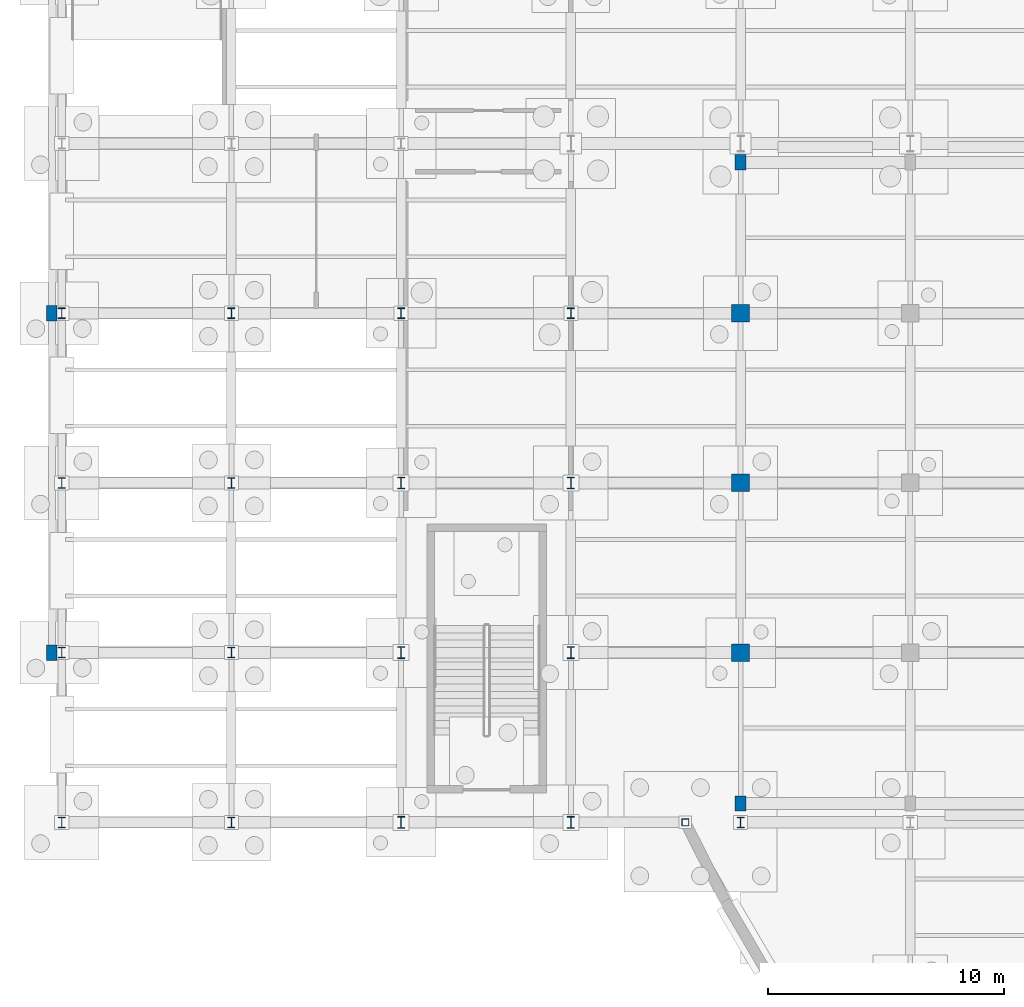
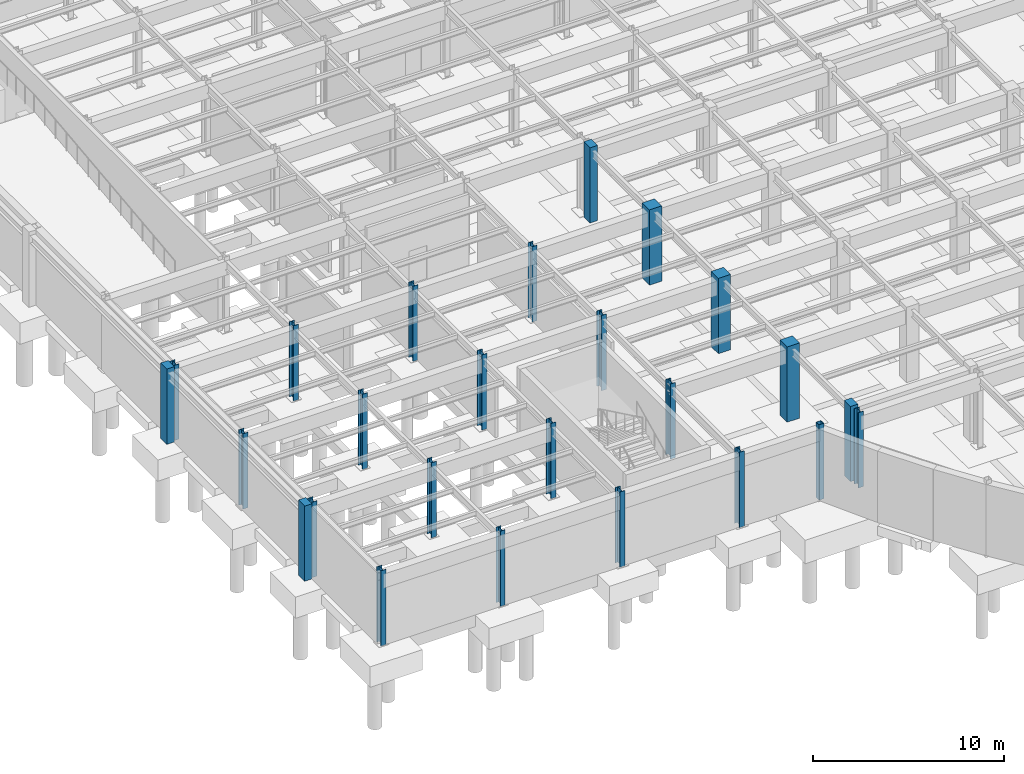
# One storey, part 17 of 64: 25 columns.
"""IFC4 building model written with IfcOpenShell, lengths in metres."""

from ifc_helpers import new_model, si_unit, direction, frame, origin, origin_2d, place, context, subcontext, project, spatial, rectangle, hollow_rectangle, i_section, extrude, material, material_profile, profile_set, type_object, element, save


model = new_model("IFC4")

# Units and contexts
model_context = context("Model", 3, precision=1e-05, world=origin(), true_north=direction((0.0, 1.0)))
body_context = subcontext(model_context, "Body", "Model", "MODEL_VIEW")
ifc_project = project(units=[si_unit("LENGTHUNIT", "METRE"), si_unit("AREAUNIT", "SQUARE_METRE"), si_unit("VOLUMEUNIT", "CUBIC_METRE"), si_unit("PLANEANGLEUNIT", "RADIAN"), si_unit("MASSUNIT", "GRAM", prefix="KILO")], contexts=[model_context])

# Site, building, storey
site_placement = place(None, origin())
site = spatial("IfcSite", under=ifc_project, at=site_placement, CompositionType="ELEMENT")
building_placement = place(site_placement, origin())
building = spatial("IfcBuilding", under=site, at=building_placement, Name="Solvadek Multi-Sports Hall", CompositionType="ELEMENT")
storey_placement = place(building_placement, frame((0.0, 0.0, -4.800048828125)))
storey = spatial("IfcBuildingStorey", under=building, at=storey_placement, Name="B1", CompositionType="ELEMENT", Elevation=-4.800048828125)

# Columns
ifc_material_1 = material(Name="Concrete M40", Category="concrete")
ifc_material_profile_1 = material_profile(ifc_material_1, rectangle(XDim=0.75, YDim=0.75, at=origin_2d()), Name="RC 750x750")
ifc_profile_set_1 = profile_set([ifc_material_profile_1], Name="Concrete M40")
column_type_1 = type_object("IfcColumnType", Name="STR-COL-RC750", PredefinedType="COLUMN", material=ifc_profile_set_1)
for number, where, z_axis, x_axis, name in (
    (1, (28.800048828125, 27.60009765625, 0.0), (0.0, 0.0, 1.0), (1.0, 0.0, 0.0), "B1 Column C-13 #54"),
    (2, (28.800048828125, 34.800048828125, 0.0), (0.0, 0.0, 1.0), (1.0, 0.0, 0.0), "B1 Column C-13 #55"),
    (3, (28.800048828125, 42.0, 0.0), (0.0, 0.0, 1.0), (1.0, 0.0, 0.0), "B1 Column C-13 #56"),
):
    element("IfcColumn", number, at=place(storey_placement, frame(where, z_axis=z_axis, x_axis=x_axis)), inside=storey, type_object=column_type_1, Name=name, PredefinedType="COLUMN", context=body_context, shape_type="SweptSolid", body=[
        extrude(rectangle(XDim=0.75, YDim=0.75, at=origin_2d()), origin(), (0.0, 0.0, 1.0), 4.800048828125),
    ])
ifc_material_2 = material(Name="Steel E350 (350 MPa)", Category="steel")
ifc_material_profile_2 = material_profile(ifc_material_2, hollow_rectangle(XDim=0.300048828125, YDim=0.300048828125, WallThickness=0.012451171875, at=origin_2d()), Name="SHS 300x300x12.5")
ifc_profile_set_2 = profile_set([ifc_material_profile_2], Name="Steel E350 (350 MPa)")
column_type_2 = type_object("IfcColumnType", Name="STR-COL-SHS300", PredefinedType="COLUMN", material=ifc_profile_set_2)
column_placement = place(storey_placement, frame((26.45458984375, 20.39990234375, 0.0), z_axis=(0.0, 0.0, 1.0), x_axis=(1.0, 0.0, 0.0)))
element("IfcColumn", 4, at=column_placement, inside=storey, type_object=column_type_2, Name="B1 Column C-10 #266", PredefinedType="COLUMN", context=body_context, shape_type="SweptSolid", body=[
    extrude(hollow_rectangle(XDim=0.300048828125, YDim=0.300048828125, WallThickness=0.012451171875, at=origin_2d()), origin(), (0.0, 0.0, 1.0), 4.800048828125),
])
ifc_material_profile_3 = material_profile(ifc_material_2, i_section(OverallWidth=0.300048828125, OverallDepth=0.449951171875, WebThickness=0.013916015625, FlangeThickness=0.02587890625, at=origin_2d()), Name="WPB 450")
ifc_profile_set_3 = profile_set([ifc_material_profile_3], Name="Steel E350 (350 MPa)")
column_type_3 = type_object("IfcColumnType", Name="STR-COL-WPB450", PredefinedType="COLUMN", material=ifc_profile_set_3)
for number, where, z_axis, x_axis, name in (
    (5, (0.0, 20.39990234375, 0.0), (0.0, 0.0, 1.0), (1.0, 0.0, 0.0), "B1 Column C-06 #1"),
    (6, (0.0, 27.60009765625, 0.0), (0.0, 0.0, 1.0), (1.0, 0.0, 0.0), "B1 Column C-06 #2"),
    (7, (0.0, 34.800048828125, 0.0), (0.0, 0.0, 1.0), (1.0, 0.0, 0.0), "B1 Column C-06 #3"),
    (8, (0.0, 42.0, 0.0), (0.0, 0.0, 1.0), (1.0, 0.0, 0.0), "B1 Column C-06 #4"),
    (9, (7.199951171875, 20.39990234375, 0.0), (0.0, 0.0, 1.0), (1.0, 0.0, 0.0), "B1 Column C-06 #14"),
    (10, (7.199951171875, 27.60009765625, 0.0), (0.0, 0.0, 1.0), (1.0, 0.0, 0.0), "B1 Column C-06 #15"),
    (11, (7.199951171875, 34.800048828125, 0.0), (0.0, 0.0, 1.0), (1.0, 0.0, 0.0), "B1 Column C-06 #16"),
    (12, (7.199951171875, 42.0, 0.0), (0.0, 0.0, 1.0), (1.0, 0.0, 0.0), "B1 Column C-06 #17"),
    (13, (14.39990234375, 42.0, 0.0), (0.0, 0.0, 1.0), (1.0, 0.0, 0.0), "B1 Column C-06 #30"),
    (14, (21.60009765625, 42.0, 0.0), (0.0, 0.0, 1.0), (1.0, 0.0, 0.0), "B1 Column C-06 #43"),
    (15, (28.800048828125, 20.39990234375, 0.0), (0.0, 0.0, 1.0), (1.0, 0.0, 0.0), "B1 Column C-06 #53"),
):
    element("IfcColumn", number, at=place(storey_placement, frame(where, z_axis=z_axis, x_axis=x_axis)), inside=storey, type_object=column_type_3, Name=name, PredefinedType="COLUMN", context=body_context, shape_type="SweptSolid", body=[
        extrude(i_section(OverallWidth=0.300048828125, OverallDepth=0.449951171875, WebThickness=0.013916015625, FlangeThickness=0.02587890625, at=origin_2d()), origin(), (0.0, 0.0, 1.0), 4.800048828125),
    ])
ifc_material_profile_4 = material_profile(ifc_material_2, i_section(OverallWidth=0.300048828125, OverallDepth=0.5, WebThickness=0.014404296875, FlangeThickness=0.028076171875, at=origin_2d()), Name="WPB 500")
ifc_profile_set_4 = profile_set([ifc_material_profile_4], Name="Steel E350 (350 MPa)")
column_type_4 = type_object("IfcColumnType", Name="STR-COL-WPB500", PredefinedType="COLUMN", material=ifc_profile_set_4)
for number, where, z_axis, x_axis, name in (
    (16, (14.39990234375, 20.39990234375, 0.0), (0.0, 0.0, 1.0), (1.0, 0.0, 0.0), "B1 Column C-05 #27"),
    (17, (14.39990234375, 27.60009765625, 0.0), (0.0, 0.0, 1.0), (1.0, 0.0, 0.0), "B1 Column C-05 #28"),
    (18, (14.39990234375, 34.800048828125, 0.0), (0.0, 0.0, 1.0), (1.0, 0.0, 0.0), "B1 Column C-05 #29"),
    (19, (21.60009765625, 20.39990234375, 0.0), (0.0, 0.0, 1.0), (1.0, 0.0, 0.0), "B1 Column C-05 #40"),
    (20, (21.60009765625, 27.60009765625, 0.0), (0.0, 0.0, 1.0), (1.0, 0.0, 0.0), "B1 Column C-05 #41"),
    (21, (21.60009765625, 34.800048828125, 0.0), (0.0, 0.0, 1.0), (1.0, 0.0, 0.0), "B1 Column C-05 #42"),
):
    element("IfcColumn", number, at=place(storey_placement, frame(where, z_axis=z_axis, x_axis=x_axis)), inside=storey, type_object=column_type_4, Name=name, PredefinedType="COLUMN", context=body_context, shape_type="SweptSolid", body=[
        extrude(i_section(OverallWidth=0.300048828125, OverallDepth=0.5, WebThickness=0.014404296875, FlangeThickness=0.028076171875, at=origin_2d()), origin(), (0.0, 0.0, 1.0), 4.800048828125),
    ])
ifc_material_3 = material(Name="Precast concrete M40", Category="concrete")
ifc_material_profile_5 = material_profile(ifc_material_3, rectangle(XDim=0.449951171875, YDim=0.64990234375, at=origin_2d()), Name="RC PILASTER 650x450")
ifc_profile_set_5 = profile_set([ifc_material_profile_5], Name="Precast concrete M40")
column_type_5 = type_object("IfcColumnType", Name="STR-PIL-650X450", PredefinedType="PILASTER", material=ifc_profile_set_5)
for number, where, z_axis, x_axis, name in (
    (22, (-0.419921875, 27.60009765625, 0.0), (0.0, 0.0, 1.0), (1.0, 0.0, 0.0), "B1 Column CP-01 #312"),
    (23, (-0.419921875, 42.0, 0.0), (0.0, 0.0, 1.0), (1.0, 0.0, 0.0), "B1 Column CP-01 #313"),
    (24, (28.800048828125, 21.199951171875, 0.0), (0.0, 0.0, 1.0), (1.0, 0.0, 0.0), "B1 Column CP-01 #323"),
    (25, (28.800048828125, 48.39990234375, 0.0), (0.0, 0.0, 1.0), (1.0, 0.0, 0.0), "B1 Column CP-01 #324"),
):
    element("IfcColumn", number, at=place(storey_placement, frame(where, z_axis=z_axis, x_axis=x_axis)), inside=storey, type_object=column_type_5, Name=name, PredefinedType="PILASTER", context=body_context, shape_type="SweptSolid", body=[
        extrude(rectangle(XDim=0.449951171875, YDim=0.64990234375, at=origin_2d()), origin(), (0.0, 0.0, 1.0), 4.800048828125),
    ])

save(model, "model.ifc")
